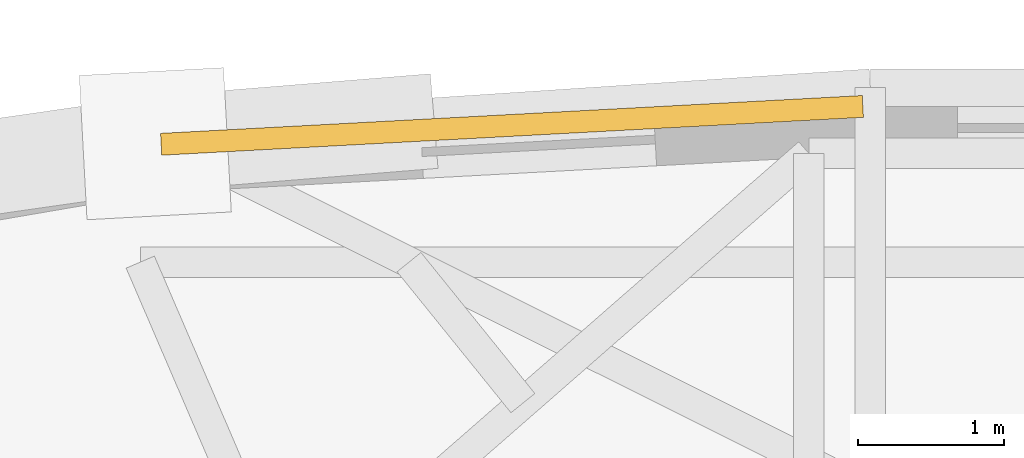
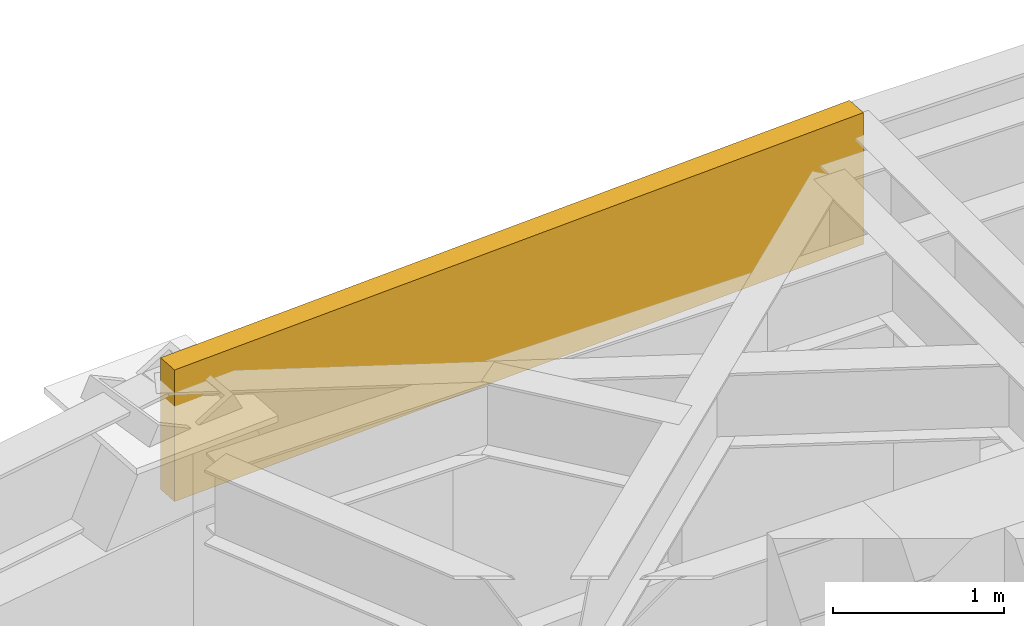
# One storey, part 15 of 15: 1 covering.
"""IFC4 building model written with IfcOpenShell, lengths in metres."""

from ifc_helpers import new_model, si_unit, direction, frame, origin, origin_2d, place, context, subcontext, project, spatial, rectangle, extrude, material, layer, layer_set, type_object, element, save


model = new_model("IFC4")

# Units and contexts
model_context = context("Model", 3, precision=1e-05, world=origin(), true_north=direction((0.0, 1.0)))
body_context = subcontext(model_context, "Body", "Model", "MODEL_VIEW")
ifc_project = project(units=[si_unit("LENGTHUNIT", "METRE"), si_unit("AREAUNIT", "SQUARE_METRE"), si_unit("VOLUMEUNIT", "CUBIC_METRE"), si_unit("PLANEANGLEUNIT", "RADIAN"), si_unit("MASSUNIT", "GRAM", prefix="KILO")], contexts=[model_context])

# Site, building, storey
site_placement = place(None, origin())
site = spatial("IfcSite", under=ifc_project, at=site_placement, CompositionType="ELEMENT")
building_placement = place(site_placement, origin())
building = spatial("IfcBuilding", under=site, at=building_placement, Name="Keldmark Tower", CompositionType="ELEMENT")
storey_placement = place(building_placement, frame((0.0, 0.0, 143.800048828125)))
storey = spatial("IfcBuildingStorey", under=building, at=storey_placement, Name="L38", CompositionType="ELEMENT", Elevation=143.800048828125)

# Covering
ifc_material = material(Name="Honed Kasota Buff Dolomitic Limestone", Category="masonry")
ifc_layer = layer(ifc_material, 0.074951171875)
ifc_layer_set = layer_set([ifc_layer], Name="Honed Kasota Buff Dolomitic Limestone")
covering_type = type_object("IfcCoveringType", Name="Kasota Buff Limestone Spandrel Cladding Band", PredefinedType="CLADDING", material=ifc_layer_set)
covering_placement = place(storey_placement, frame((-4.883544921875, 16.452880859375, 2.239013671875), z_axis=(0.0, 0.0, 1.0), x_axis=(-0.998548914717, -0.053852250811, 0.0)))
element("IfcCovering", 1, at=covering_placement, inside=storey, type_object=covering_type, Name="L38 Kasota Limestone Spandrel Band 09", PredefinedType="CLADDING", context=body_context, shape_type="SweptSolid", body=[
    extrude(rectangle(XDim=4.814208984375, YDim=0.14990234375, at=origin_2d()), origin(), (0.0, 0.0, 1.0), 0.94091796875),
])

save(model, "model.ifc")
